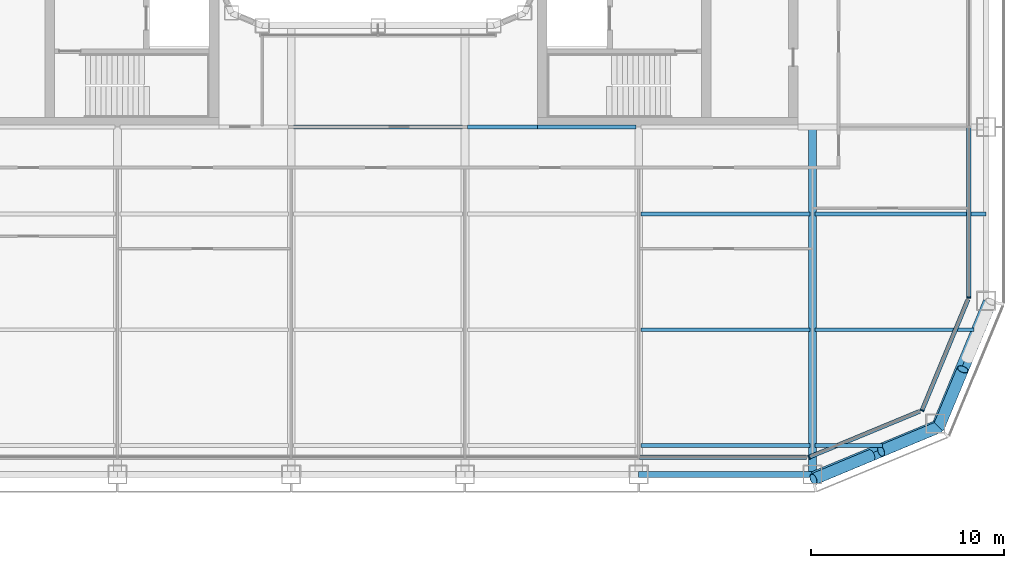
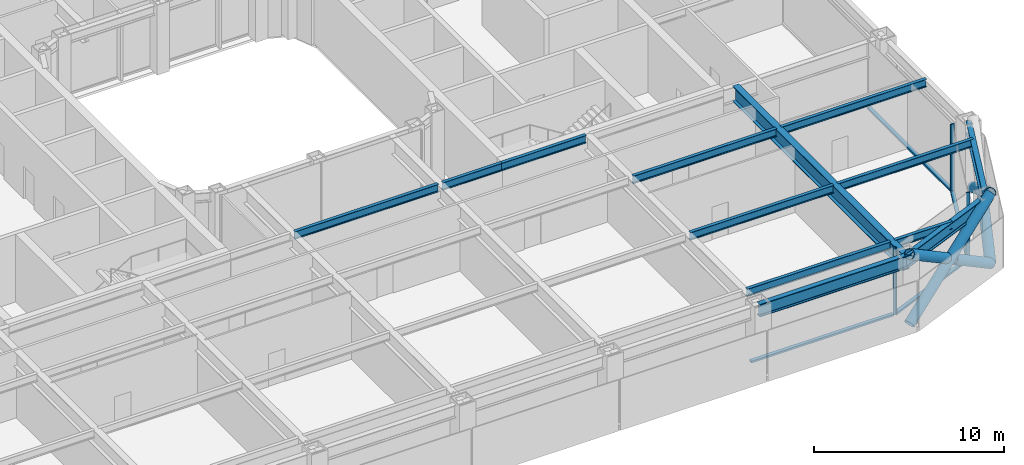
# One storey, part 4 of 27: 13 beams, 12 members, 4 elements without a shape of their own.
"""IFC4 building model written with IfcOpenShell, lengths in metres."""

from ifc_helpers import new_model, si_unit, direction, frame, origin, origin_2d, place, context, subcontext, project, spatial, rectangle, hollow_circle, i_section, extrude, material, layer, layer_set, material_profile, profile_set, type_object, element, aggregate, save


model = new_model("IFC4")

# Units and contexts
model_context = context("Model", 3, precision=1e-05, world=origin(), true_north=direction((0.0, 1.0)))
body_context = subcontext(model_context, "Body", "Model", "MODEL_VIEW")
ifc_project = project(units=[si_unit("LENGTHUNIT", "METRE"), si_unit("AREAUNIT", "SQUARE_METRE"), si_unit("VOLUMEUNIT", "CUBIC_METRE"), si_unit("PLANEANGLEUNIT", "RADIAN"), si_unit("MASSUNIT", "GRAM", prefix="KILO")], contexts=[model_context])

# Site, building, storey
site_placement = place(None, origin())
site = spatial("IfcSite", under=ifc_project, at=site_placement, CompositionType="ELEMENT")
building_placement = place(site_placement, origin())
building = spatial("IfcBuilding", under=site, at=building_placement, Name="Siwar Civic Tower", CompositionType="ELEMENT")
storey_placement = place(building_placement, frame((0.0, 0.0, 53.699951171875)))
storey = spatial("IfcBuildingStorey", under=building, at=storey_placement, Name="L11", CompositionType="ELEMENT", Elevation=53.699951171875)

# Curtain wall, member
ifc_material_1 = material(Name="Aluminium clad insulated panel", Category="aluminium")
ifc_layer_1 = layer(ifc_material_1, 0.219970703125)
ifc_layer_set_1 = layer_set([ifc_layer_1], Name="Aluminium clad insulated panel")
curtain_wall_type_1 = type_object("IfcCurtainWallType", Name="ENV-CW-AX", PredefinedType="NOTDEFINED", material=ifc_layer_set_1)
curtain_wall_1_placement = place(storey_placement, origin())
curtain_wall_1 = element("IfcCurtainWall", 1, at=curtain_wall_1_placement, inside=storey, type_object=curtain_wall_type_1, Name="Curtain wall A SE1", PredefinedType="NOTDEFINED")
ifc_material_2 = material(Name="Aluminium 6063-T6", Category="aluminium")
ifc_material_profile_1 = material_profile(ifc_material_2, rectangle(XDim=0.219970703125, YDim=0.070068359375, at=origin_2d()), Name="AL 220x70")
ifc_profile_set_1 = profile_set([ifc_material_profile_1], Name="Aluminium 6063-T6")
member_type_1 = type_object("IfcMemberType", Name="ENV-MULLION-A", PredefinedType="MULLION", material=ifc_profile_set_1)
member_1_placement = place(storey_placement, frame((22.321044921875, -30.60009765625, 0.0), z_axis=(0.0, 0.0, 1.0), x_axis=(-0.382683432365, 0.923879532511, 0.0)))
member_1 = element("IfcMember", 2, at=member_1_placement, type_object=member_type_1, Name="Mullion A SE1 1", PredefinedType="MULLION", context=body_context, shape_type="SweptSolid", body=[
    extrude(rectangle(XDim=0.219970703125, YDim=0.070068359375, at=origin_2d()), origin(), (0.0, 0.0, 1.0), 4.35009765625),
])

curtain_wall_2_placement = place(storey_placement, origin())
curtain_wall_2 = element("IfcCurtainWall", 3, at=curtain_wall_2_placement, inside=storey, type_object=curtain_wall_type_1, Name="Curtain wall A SE2", PredefinedType="NOTDEFINED")
member_2_placement = place(storey_placement, frame((28.175048828125, -28.175048828125, 0.0), z_axis=(0.0, 0.0, 1.0), x_axis=(-0.923879532511, 0.382683432365, 0.0)))
member_2 = element("IfcMember", 4, at=member_2_placement, type_object=member_type_1, Name="Mullion A SE2 1", PredefinedType="MULLION", context=body_context, shape_type="SweptSolid", body=[
    extrude(rectangle(XDim=0.219970703125, YDim=0.070068359375, at=origin_2d()), origin(), (0.0, 0.0, 1.0), 4.35009765625),
])

ifc_material_3 = material(Name="Aluminium and glass", Category="aluminium")
ifc_layer_2 = layer(ifc_material_3, 0.219970703125)
ifc_layer_set_2 = layer_set([ifc_layer_2], Name="Aluminium and glass")
curtain_wall_type_2 = type_object("IfcCurtainWallType", Name="ENV-CW-A", PredefinedType="NOTDEFINED", material=ifc_layer_set_2)
curtain_wall_3_placement = place(storey_placement, origin())
curtain_wall_3 = element("IfcCurtainWall", 5, at=curtain_wall_3_placement, inside=storey, type_object=curtain_wall_type_2, Name="Curtain wall A E", PredefinedType="NOTDEFINED")
member_3_placement = place(storey_placement, frame((30.60009765625, -22.321044921875, 0.0), z_axis=(0.0, 0.0, 1.0), x_axis=(-1.0, 0.0, 0.0)))
member_3 = element("IfcMember", 6, at=member_3_placement, type_object=member_type_1, Name="Mullion A E 1", PredefinedType="MULLION", context=body_context, shape_type="SweptSolid", body=[
    extrude(rectangle(XDim=0.219970703125, YDim=0.070068359375, at=origin_2d()), origin(), (0.0, 0.0, 1.0), 4.35009765625),
])

curtain_wall_4_placement = place(storey_placement, origin())
curtain_wall_4 = element("IfcCurtainWall", 7, at=curtain_wall_4_placement, inside=storey, type_object=curtain_wall_type_2, Name="Curtain wall A S", PredefinedType="NOTDEFINED")
ifc_material_4 = material(Name="Aluminium 6063-T6", Category="aluminium")
ifc_material_profile_2 = material_profile(ifc_material_4, rectangle(XDim=0.219970703125, YDim=0.1201171875, at=origin_2d()), Name="AL 220x120")
ifc_profile_set_2 = profile_set([ifc_material_profile_2], Name="Aluminium 6063-T6")
member_type_2 = type_object("IfcMemberType", Name="ENV-TRANSOM-A", PredefinedType="USERDEFINED", material=ifc_profile_set_2)
member_4_placement = place(storey_placement, frame((13.534912109375, -30.60009765625, 0.06005859375), z_axis=(1.0, 0.0, 0.0), x_axis=(0.0, 1.0, 0.0)))
member_4 = element("IfcMember", 8, at=member_4_placement, type_object=member_type_2, Name="Transom A S 5", ObjectType="TRANSOM", PredefinedType="USERDEFINED", context=body_context, shape_type="SweptSolid", body=[
    extrude(rectangle(XDim=0.219970703125, YDim=0.1201171875, at=origin_2d()), origin(), (0.0, 0.0, 1.0), 8.66357421875),
])
aggregate(curtain_wall_4, [member_4])

# Member
member_5_placement = place(storey_placement, frame((22.353271484375, -30.586669921875, 0.06005859375), z_axis=(0.923873326341, 0.382698415042, 0.0), x_axis=(-0.382698415042, 0.923873326341, 0.0)))
member_5 = element("IfcMember", 9, at=member_5_placement, type_object=member_type_2, Name="Transom A SE1 1", ObjectType="TRANSOM", PredefinedType="USERDEFINED", context=body_context, shape_type="SweptSolid", body=[
    extrude(rectangle(XDim=0.219970703125, YDim=0.1201171875, at=origin_2d()), origin(), (0.0, 0.0, 1.0), 6.17919921875),
])

aggregate(curtain_wall_1, [member_1, member_5])

member_6_placement = place(storey_placement, frame((28.1884765625, -28.142822265625, 0.06005859375), z_axis=(0.382698415042, 0.923873326341, 0.0), x_axis=(-0.923873326341, 0.382698415042, 0.0)))
member_6 = element("IfcMember", 10, at=member_6_placement, type_object=member_type_2, Name="Transom A SE2 1", ObjectType="TRANSOM", PredefinedType="USERDEFINED", context=body_context, shape_type="SweptSolid", body=[
    extrude(rectangle(XDim=0.219970703125, YDim=0.1201171875, at=origin_2d()), origin(), (0.0, 0.0, 1.0), 6.17919921875),
])

aggregate(curtain_wall_2, [member_2, member_6])

member_7_placement = place(storey_placement, frame((30.60009765625, -22.285888671875, 0.06005859375), z_axis=(0.0, 1.0, 0.0), x_axis=(-1.0, 0.0, 0.0)))
member_7 = element("IfcMember", 11, at=member_7_placement, type_object=member_type_2, Name="Transom A E 1", ObjectType="TRANSOM", PredefinedType="USERDEFINED", context=body_context, shape_type="SweptSolid", body=[
    extrude(rectangle(XDim=0.219970703125, YDim=0.1201171875, at=origin_2d()), origin(), (0.0, 0.0, 1.0), 8.7509765625),
])

aggregate(curtain_wall_3, [member_3, member_7])

# Members
ifc_material_5 = material(Name="Steel S355", Category="steel")
ifc_material_profile_3 = material_profile(ifc_material_5, hollow_circle(Radius=0.304931640625, WallThickness=0.030029296875, at=origin_2d()), Name="CHS610x30")
ifc_profile_set_3 = profile_set([ifc_material_profile_3], Name="Steel S355")
member_type_3 = type_object("IfcMemberType", Name="STR-BR-CHS610x30", PredefinedType="BRACE", material=ifc_profile_set_3)
member_8_placement = place(storey_placement, frame((31.7451171875, -22.548828125, 0.0), z_axis=(-0.323905527954, -0.777554562952, 0.538975055633), x_axis=(0.923108759191, -0.384538969033, 0.0)))
element("IfcMember", 12, at=member_8_placement, inside=storey, type_object=member_type_3, Name="L11/brc/ASE1-10-0-1", PredefinedType="BRACE", context=body_context, shape_type="SweptSolid", body=[
    extrude(hollow_circle(Radius=0.304931640625, WallThickness=0.030029296875, at=origin_2d()), origin(), (0.0, 0.0, 1.0), 8.34912109375),
])
member_9_placement = place(storey_placement, frame((29.040771484375, -29.040771484375, 0.0), z_axis=(0.323922979564, 0.777542179573, 0.53898243227), x_axis=(-0.923099230484, 0.384561842466, 0.0)))
element("IfcMember", 13, at=member_9_placement, inside=storey, type_object=member_type_3, Name="L11/brc/ASE1-10-0-2", PredefinedType="BRACE", context=body_context, shape_type="SweptSolid", body=[
    extrude(hollow_circle(Radius=0.304931640625, WallThickness=0.030029296875, at=origin_2d()), origin(), (0.0, 0.0, 1.0), 3.84375),
])
member_10_placement = place(storey_placement, frame((22.548828125, -31.7451171875, 0.0), z_axis=(0.777554562952, 0.323905527954, 0.538975055633), x_axis=(-0.384538969033, 0.923108759191, 0.0)))
element("IfcMember", 14, at=member_10_placement, inside=storey, type_object=member_type_3, Name="L11/brc/ASE1-10-0-0", PredefinedType="BRACE", context=body_context, shape_type="SweptSolid", body=[
    extrude(hollow_circle(Radius=0.304931640625, WallThickness=0.030029296875, at=origin_2d()), origin(), (0.0, 0.0, 1.0), 8.34912109375),
])
member_11_placement = place(storey_placement, frame((29.040771484375, -29.040771484375, 0.0), z_axis=(-0.777542179573, -0.323922979564, 0.53898243227), x_axis=(0.384561842466, -0.923099230484, 0.0)))
element("IfcMember", 15, at=member_11_placement, inside=storey, type_object=member_type_3, Name="L11/brc/ASE1-10-0-4", PredefinedType="BRACE", context=body_context, shape_type="SweptSolid", body=[
    extrude(hollow_circle(Radius=0.304931640625, WallThickness=0.030029296875, at=origin_2d()), origin(), (0.0, 0.0, 1.0), 3.84375),
])
member_12_placement = place(storey_placement, frame((25.537353515625, -30.500244140625, 2.428466796875), z_axis=(-0.777559680196, -0.3238932121, 0.53897507446), x_axis=(0.384524353215, -0.923114847559, 0.0)))
element("IfcMember", 16, at=member_12_placement, inside=storey, type_object=member_type_3, Name="L11/brc/ASE1-10-0-5", PredefinedType="BRACE", context=body_context, shape_type="SweptSolid", body=[
    extrude(hollow_circle(Radius=0.304931640625, WallThickness=0.030029296875, at=origin_2d()), origin(), (0.0, 0.0, 1.0), 3.843505859375),
])

# Beams
ifc_material_6 = material(Name="Steel S355", Category="steel")
ifc_material_profile_4 = material_profile(ifc_material_6, i_section(OverallWidth=0.199951171875, OverallDepth=0.5, WebThickness=0.01025390625, FlangeThickness=0.01611328125, FilletRadius=0.02099609375, at=origin_2d()), Name="IPE500")
ifc_profile_set_4 = profile_set([ifc_material_profile_4], Name="Steel S355")
beam_type_1 = type_object("IfcBeamType", Name="STR-FB-IPE500", PredefinedType="JOIST", material=ifc_profile_set_4)
beam_1_placement = place(storey_placement, frame((13.6298828125, -30.0, 4.10009765625), z_axis=(1.0, 0.0, 0.0), x_axis=(0.0, 1.0, 0.0)))
element("IfcBeam", 17, at=beam_1_placement, inside=storey, type_object=beam_type_1, Name="L11/bm/F006", PredefinedType="JOIST", context=body_context, shape_type="SweptSolid", body=[
    extrude(i_section(OverallWidth=0.199951171875, OverallDepth=0.5, WebThickness=0.01025390625, FlangeThickness=0.01611328125, FilletRadius=0.02099609375, at=origin_2d()), origin(), (0.0, 0.0, 1.0), 8.740234375),
])
beam_2_placement = place(storey_placement, frame((22.6298828125, -30.0, 4.10009765625), z_axis=(1.0, 0.0, 0.0), x_axis=(0.0, 1.0, 0.0)))
element("IfcBeam", 18, at=beam_2_placement, inside=storey, type_object=beam_type_1, Name="L11/bm/F007", PredefinedType="JOIST", context=body_context, shape_type="SweptSolid", body=[
    extrude(i_section(OverallWidth=0.199951171875, OverallDepth=0.5, WebThickness=0.01025390625, FlangeThickness=0.01611328125, FilletRadius=0.02099609375, at=origin_2d()), origin(), (0.0, 0.0, 1.0), 3.491455078125),
])
beam_3_placement = place(storey_placement, frame((13.6298828125, -24.0, 4.10009765625), z_axis=(1.0, 0.0, 0.0), x_axis=(0.0, 1.0, 0.0)))
element("IfcBeam", 19, at=beam_3_placement, inside=storey, type_object=beam_type_1, Name="L11/bm/F013", PredefinedType="JOIST", context=body_context, shape_type="SweptSolid", body=[
    extrude(i_section(OverallWidth=0.199951171875, OverallDepth=0.5, WebThickness=0.01025390625, FlangeThickness=0.01611328125, FilletRadius=0.02099609375, at=origin_2d()), origin(), (0.0, 0.0, 1.0), 8.740234375),
])
beam_4_placement = place(storey_placement, frame((22.6298828125, -24.0, 4.10009765625), z_axis=(1.0, 0.0, 0.0), x_axis=(0.0, 1.0, 0.0)))
element("IfcBeam", 20, at=beam_4_placement, inside=storey, type_object=beam_type_1, Name="L11/bm/F014", PredefinedType="JOIST", context=body_context, shape_type="SweptSolid", body=[
    extrude(i_section(OverallWidth=0.199951171875, OverallDepth=0.5, WebThickness=0.01025390625, FlangeThickness=0.01611328125, FilletRadius=0.02099609375, at=origin_2d()), origin(), (0.0, 0.0, 1.0), 8.248779296875),
])
beam_5_placement = place(storey_placement, frame((13.6298828125, -18.0, 4.10009765625), z_axis=(1.0, 0.0, 0.0), x_axis=(0.0, 1.0, 0.0)))
element("IfcBeam", 21, at=beam_5_placement, inside=storey, type_object=beam_type_1, Name="L11/bm/F020", PredefinedType="JOIST", context=body_context, shape_type="SweptSolid", body=[
    extrude(i_section(OverallWidth=0.199951171875, OverallDepth=0.5, WebThickness=0.01025390625, FlangeThickness=0.01611328125, FilletRadius=0.02099609375, at=origin_2d()), origin(), (0.0, 0.0, 1.0), 8.740234375),
])
beam_6_placement = place(storey_placement, frame((22.6298828125, -18.0, 4.10009765625), z_axis=(1.0, 0.0, 0.0), x_axis=(0.0, 1.0, 0.0)))
element("IfcBeam", 22, at=beam_6_placement, inside=storey, type_object=beam_type_1, Name="L11/bm/F021", PredefinedType="JOIST", context=body_context, shape_type="SweptSolid", body=[
    extrude(i_section(OverallWidth=0.199951171875, OverallDepth=0.5, WebThickness=0.01025390625, FlangeThickness=0.01611328125, FilletRadius=0.02099609375, at=origin_2d()), origin(), (0.0, 0.0, 1.0), 8.8701171875),
])
beam_7_placement = place(storey_placement, frame((-4.3701171875, -13.5, 4.10009765625), z_axis=(1.0, 0.0, 0.0), x_axis=(0.0, 1.0, 0.0)))
element("IfcBeam", 23, at=beam_7_placement, inside=storey, type_object=beam_type_1, Name="L11/bm/F026", PredefinedType="JOIST", context=body_context, shape_type="SweptSolid", body=[
    extrude(i_section(OverallWidth=0.199951171875, OverallDepth=0.5, WebThickness=0.01025390625, FlangeThickness=0.01611328125, FilletRadius=0.02099609375, at=origin_2d()), origin(), (0.0, 0.0, 1.0), 8.740234375),
])
beam_8_placement = place(storey_placement, frame((4.6298828125, -13.5, 4.10009765625), z_axis=(1.0, 0.0, 0.0), x_axis=(0.0, 1.0, 0.0)))
element("IfcBeam", 24, at=beam_8_placement, inside=storey, type_object=beam_type_1, Name="L11/bm/F027", PredefinedType="JOIST", context=body_context, shape_type="SweptSolid", body=[
    extrude(i_section(OverallWidth=0.199951171875, OverallDepth=0.5, WebThickness=0.01025390625, FlangeThickness=0.01611328125, FilletRadius=0.02099609375, at=origin_2d()), origin(), (0.0, 0.0, 1.0), 3.6201171875),
])
beam_9_placement = place(storey_placement, frame((8.25, -13.5, 4.10009765625), z_axis=(1.0, 0.0, 0.0), x_axis=(0.0, 1.0, 0.0)))
element("IfcBeam", 25, at=beam_9_placement, inside=storey, type_object=beam_type_1, Name="L11/bm/F028", PredefinedType="JOIST", context=body_context, shape_type="SweptSolid", body=[
    extrude(i_section(OverallWidth=0.199951171875, OverallDepth=0.5, WebThickness=0.01025390625, FlangeThickness=0.01611328125, FilletRadius=0.02099609375, at=origin_2d()), origin(), (0.0, 0.0, 1.0), 5.1201171875),
])
ifc_material_7 = material(Name="Steel S355", Category="steel")
ifc_material_profile_5 = material_profile(ifc_material_7, i_section(OverallWidth=0.39990234375, OverallDepth=1.0, WebThickness=0.01611328125, FlangeThickness=0.0400390625, at=origin_2d()), Name="PG1000x400x16x40")
ifc_profile_set_5 = profile_set([ifc_material_profile_5], Name="Steel S355")
beam_type_2 = type_object("IfcBeamType", Name="STR-PG-PG1000x400x16x40", PredefinedType="BEAM", material=ifc_profile_set_5)
beam_10_placement = place(storey_placement, frame((22.5, -31.5, 3.85009765625), z_axis=(0.0, 1.0, 0.0), x_axis=(-1.0, 0.0, 0.0)))
element("IfcBeam", 26, at=beam_10_placement, inside=storey, type_object=beam_type_2, Name="L11/bm/G11", PredefinedType="BEAM", context=body_context, shape_type="SweptSolid", body=[
    extrude(i_section(OverallWidth=0.39990234375, OverallDepth=1.0, WebThickness=0.01611328125, FlangeThickness=0.0400390625, at=origin_2d()), origin(), (0.0, 0.0, 1.0), 18.0),
])
ifc_material_8 = material(Name="Steel S355", Category="steel")
ifc_material_profile_6 = material_profile(ifc_material_8, i_section(OverallWidth=0.302978515625, OverallDepth=0.81396484375, WebThickness=0.02099609375, FlangeThickness=0.0400390625, FilletRadius=0.030029296875, at=origin_2d()), Name="HEM800")
ifc_profile_set_6 = profile_set([ifc_material_profile_6], Name="Steel S355")
beam_type_3 = type_object("IfcBeamType", Name="STR-SB-HEM800", PredefinedType="BEAM", material=ifc_profile_set_6)
beam_11_placement = place(storey_placement, frame((13.5, -31.5, 3.943115234375), z_axis=(1.0, 0.0, 0.0), x_axis=(0.0, 1.0, 0.0)))
element("IfcBeam", 27, at=beam_11_placement, inside=storey, type_object=beam_type_3, Name="L11/bm/SS-4", PredefinedType="BEAM", context=body_context, shape_type="SweptSolid", body=[
    extrude(i_section(OverallWidth=0.302978515625, OverallDepth=0.81396484375, WebThickness=0.02099609375, FlangeThickness=0.0400390625, FilletRadius=0.030029296875, at=origin_2d()), origin(), (0.0, 0.0, 1.0), 9.0),
])
for number, where, z_axis, x_axis, name in (
    (28, (22.5, -31.5, 3.943115234375), (0.923883353507, 0.382674207535, 0.0), (-0.382674207535, 0.923883353507, 0.0), "L11/bm/SSE1-0"),
    (29, (28.864013671875, -28.864013671875, 3.943115234375), (0.382674207535, 0.923883353507, 0.0), (-0.923883353507, 0.382674207535, 0.0), "L11/bm/SSE2-0"),
):
    element("IfcBeam", number, at=place(storey_placement, frame(where, z_axis=z_axis, x_axis=x_axis)), inside=storey, type_object=beam_type_3, Name=name, PredefinedType="BEAM", context=body_context, shape_type="SweptSolid", body=[
        extrude(i_section(OverallWidth=0.302978515625, OverallDepth=0.81396484375, WebThickness=0.02099609375, FlangeThickness=0.0400390625, FilletRadius=0.030029296875, at=origin_2d()), origin(), (0.0, 0.0, 1.0), 6.888427734375),
    ])

save(model, "model.ifc")
